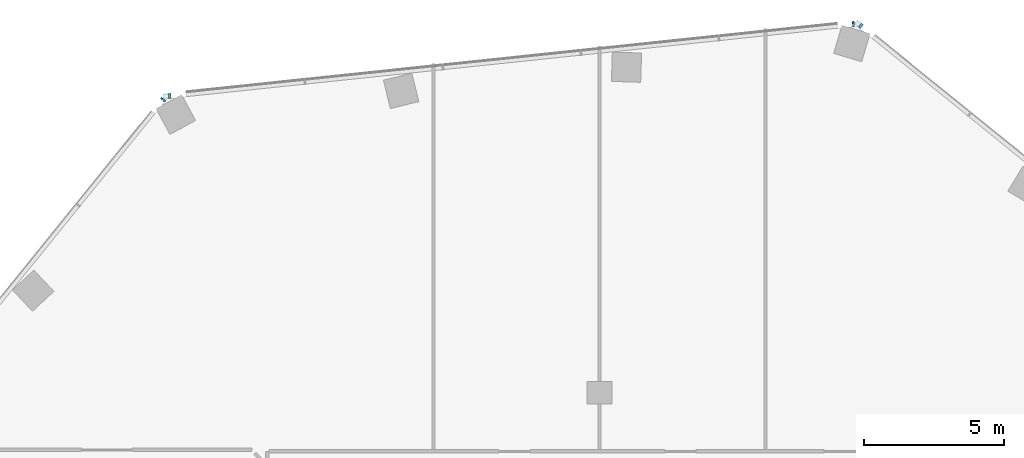
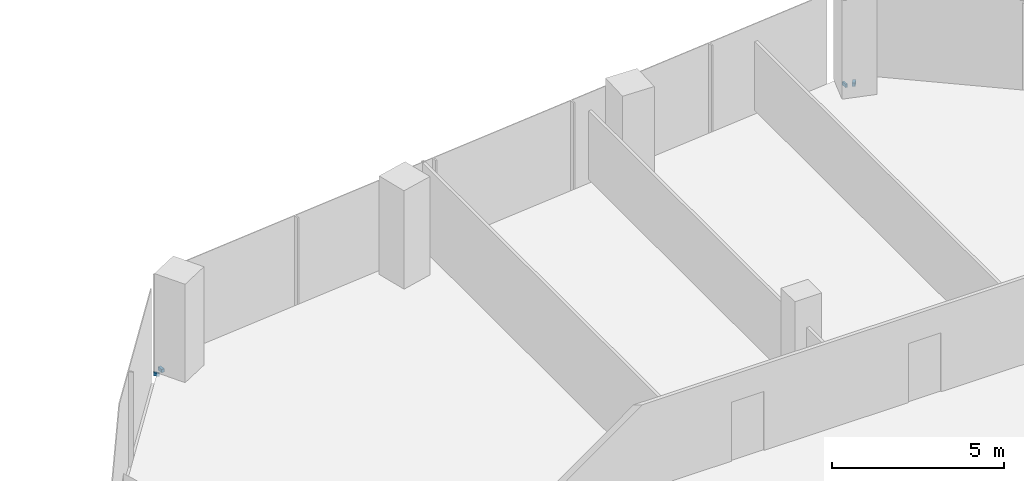
# One storey, part 15 of 23: 4 members, 3 elements without a shape of their own.
"""IFC4 building model written with IfcOpenShell, lengths in metres."""

from ifc_helpers import new_model, si_unit, direction, frame, origin, origin_2d, place, context, subcontext, project, spatial, rectangle, extrude, material, material_profile, profile_set, type_object, element, aggregate, save


model = new_model("IFC4")

# Units and contexts
model_context = context("Model", 3, precision=1e-05, world=origin(), true_north=direction((0.0, 1.0)))
body_context = subcontext(model_context, "Body", "Model", "MODEL_VIEW")
ifc_project = project(units=[si_unit("LENGTHUNIT", "METRE"), si_unit("AREAUNIT", "SQUARE_METRE"), si_unit("VOLUMEUNIT", "CUBIC_METRE"), si_unit("PLANEANGLEUNIT", "RADIAN"), si_unit("MASSUNIT", "GRAM", prefix="KILO")], contexts=[model_context])

# Site, building, storey
site_placement = place(None, origin())
site = spatial("IfcSite", under=ifc_project, at=site_placement, CompositionType="ELEMENT")
building_placement = place(site_placement, origin())
building = spatial("IfcBuilding", under=site, at=building_placement, Name="Orlundy Tower", CompositionType="ELEMENT")
storey_placement = place(building_placement, frame((0.0, 0.0, 221.0)))
storey = spatial("IfcBuildingStorey", under=building, at=storey_placement, Name="L58", CompositionType="ELEMENT", Elevation=221.0)

# Curtain wall, member
ifc_material_1 = material(Name="Aluminium bronze anodised", Category="aluminium")
curtain_wall_type = type_object("IfcCurtainWallType", Name="CW1 wall", PredefinedType="NOTDEFINED", material=ifc_material_1)
curtain_wall_1_placement = place(storey_placement, origin())
curtain_wall_1 = element("IfcCurtainWall", 1, at=curtain_wall_1_placement, inside=storey, type_object=curtain_wall_type, Name="CW1 run 03", PredefinedType="NOTDEFINED")
ifc_material_2 = material(Name="Aluminium bronze anodised", Category="aluminium")
ifc_material_profile = material_profile(ifc_material_2, rectangle(XDim=0.179931640625, YDim=0.1201171875, at=origin_2d()), Name="CW1 transom 180x120")
ifc_profile_set = profile_set([ifc_material_profile], Name="Aluminium bronze anodised")
member_type = type_object("IfcMemberType", Name="CW1 transom 180x120", PredefinedType="USERDEFINED", material=ifc_profile_set)
member_1_placement = place(storey_placement, frame((-15.6591796875, 28.47607421875, -0.360107421875), z_axis=(0.629542030001, 0.776966429431, 0.0), x_axis=(-0.776966429431, 0.629542030001, 0.0)))
member_1 = element("IfcMember", 2, at=member_1_placement, type_object=member_type, Name="CW1 transom", ObjectType="TRANSOM", PredefinedType="USERDEFINED", context=body_context, shape_type="SweptSolid", body=[
    extrude(rectangle(XDim=0.179931640625, YDim=0.1201171875, at=origin_2d()), origin(), (0.0, 0.0, 1.0), 0.061279296875),
])
aggregate(curtain_wall_1, [member_1])

# Curtain wall, members
curtain_wall_2_placement = place(storey_placement, origin())
curtain_wall_2 = element("IfcCurtainWall", 3, at=curtain_wall_2_placement, inside=storey, type_object=curtain_wall_type, Name="CW1 run 04", PredefinedType="NOTDEFINED")
member_2_placement = place(storey_placement, frame((-15.450927734375, 28.632080078125, -0.360107421875), z_axis=(0.994559679357, 0.104168345469, 0.0), x_axis=(-0.104168345469, 0.994559679357, 0.0)))
member_2 = element("IfcMember", 4, at=member_2_placement, type_object=member_type, Name="CW1 transom", ObjectType="TRANSOM", PredefinedType="USERDEFINED", context=body_context, shape_type="SweptSolid", body=[
    extrude(rectangle(XDim=0.179931640625, YDim=0.1201171875, at=origin_2d()), origin(), (0.0, 0.0, 1.0), 0.098388671875),
])
member_3_placement = place(storey_placement, frame((9.0625, 31.208740234375, -0.360107421875), z_axis=(0.994549313552, 0.104267266743, 0.0), x_axis=(-0.104267266743, 0.994549313552, 0.0)))
member_3 = element("IfcMember", 5, at=member_3_placement, type_object=member_type, Name="CW1 transom", ObjectType="TRANSOM", PredefinedType="USERDEFINED", context=body_context, shape_type="SweptSolid", body=[
    extrude(rectangle(XDim=0.179931640625, YDim=0.1201171875, at=origin_2d()), origin(), (0.0, 0.0, 1.0), 0.060791015625),
])
aggregate(curtain_wall_2, [member_2, member_3])

# Curtain wall, member
curtain_wall_3_placement = place(storey_placement, origin())
curtain_wall_3 = element("IfcCurtainWall", 6, at=curtain_wall_3_placement, inside=storey, type_object=curtain_wall_type, Name="CW1 run 05", PredefinedType="NOTDEFINED")
member_4_placement = place(storey_placement, frame((9.319580078125, 31.171875, -0.360107421875), z_axis=(0.776493277507, -0.630125535101, 0.0), x_axis=(0.630125535101, 0.776493277507, 0.0)))
member_4 = element("IfcMember", 7, at=member_4_placement, type_object=member_type, Name="CW1 transom", ObjectType="TRANSOM", PredefinedType="USERDEFINED", context=body_context, shape_type="SweptSolid", body=[
    extrude(rectangle(XDim=0.179931640625, YDim=0.1201171875, at=origin_2d()), origin(), (0.0, 0.0, 1.0), 0.098388671875),
])
aggregate(curtain_wall_3, [member_4])

save(model, "model.ifc")
